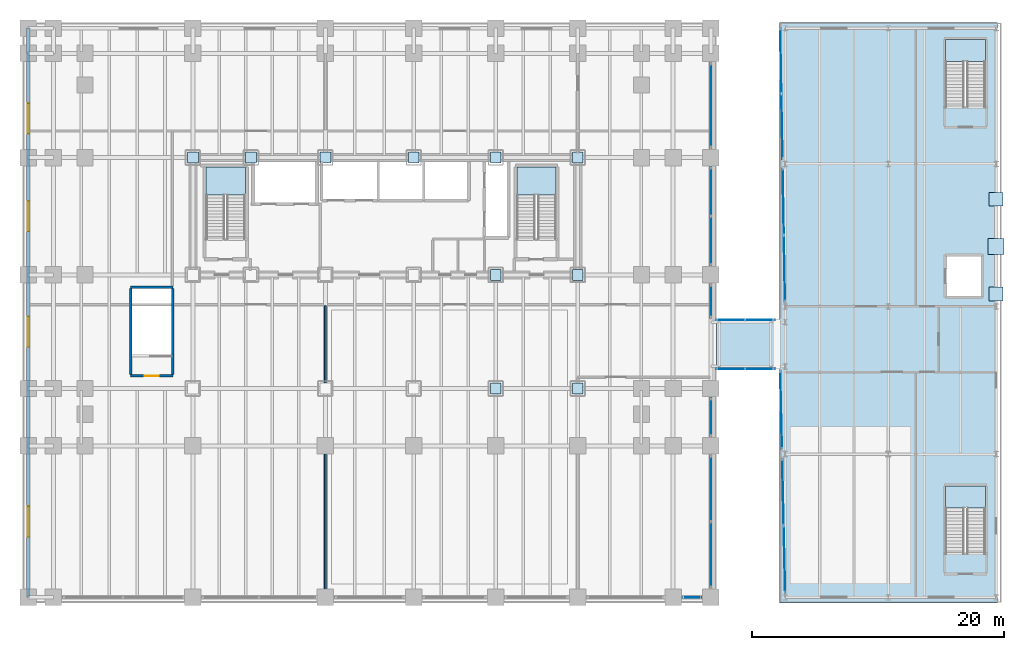
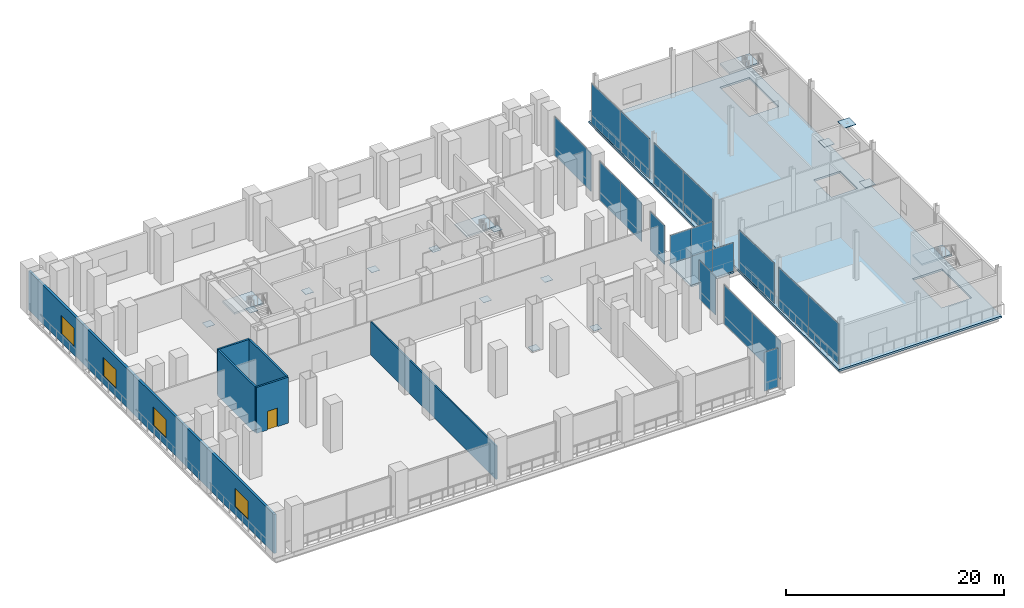
# One storey, part 21 of 30: 32 plates, 6 slabs, 6 walls, 4 windows, 1 door, 8 openings, 16 elements without a shape of their own.
"""IFC4 building model written with IfcOpenShell, lengths in metres."""

from ifc_helpers import new_model, si_unit, direction, frame, frame_2d, origin, origin_2d, place, context, subcontext, project, spatial, polyline, rectangle, outline, extrude, material, layer, layer_set, type_object, element, fill, aggregate, save


model = new_model("IFC4")

# Units and contexts
model_context = context("Model", 3, precision=1e-05, world=origin(), true_north=direction((0.0, 1.0)))
body_context = subcontext(model_context, "Body", "Model", "MODEL_VIEW")
ifc_project = project(units=[si_unit("LENGTHUNIT", "METRE"), si_unit("AREAUNIT", "SQUARE_METRE"), si_unit("VOLUMEUNIT", "CUBIC_METRE"), si_unit("PLANEANGLEUNIT", "RADIAN"), si_unit("MASSUNIT", "GRAM", prefix="KILO")], contexts=[model_context])

# Site, building, storey
site_placement = place(None, origin())
site = spatial("IfcSite", under=ifc_project, at=site_placement, CompositionType="ELEMENT")
building_placement = place(site_placement, origin())
building = spatial("IfcBuilding", under=site, at=building_placement, Name="Noeulbin Bourse Tower", CompositionType="ELEMENT")
storey_placement = place(building_placement, frame((0.0, 0.0, 16.60009765625)))
storey = spatial("IfcBuildingStorey", under=building, at=storey_placement, Name="L04", CompositionType="ELEMENT", Elevation=16.60009765625)

# Curtain wall, plate
ifc_material_1 = material(Name="Laminated Clear Low-E Glass", Category="glass")
curtain_wall_type_1 = type_object("IfcCurtainWallType", Name="CW-SYS-1", PredefinedType="NOTDEFINED", material=ifc_material_1)
curtain_wall_1_placement = place(storey_placement, origin())
curtain_wall_1 = element("IfcCurtainWall", 1, at=curtain_wall_1_placement, inside=storey, type_object=curtain_wall_type_1, Name="Unitised Curtain Wall CW-L04-POD-S-S7", PredefinedType="NOTDEFINED")
ifc_layer_1 = layer(ifc_material_1, 0.035888671875)
ifc_layer_set_1 = layer_set([ifc_layer_1], Name="Laminated Clear Low-E Glass")
plate_type_1 = type_object("IfcPlateType", Name="CW-SYS-1-PNL", PredefinedType="CURTAIN_PANEL", material=ifc_layer_set_1)
plate_1_placement = place(storey_placement, frame((53.050048828125, 3.449951171875, 0.0), z_axis=(0.0, 0.0, 1.0), x_axis=(1.0, 0.0, 0.0)))
plate_1 = element("IfcPlate", 2, at=plate_1_placement, type_object=plate_type_1, Name="Glazed Curtain Panel CW-L04-POD-S-S7-P00", PredefinedType="CURTAIN_PANEL", context=body_context, shape_type="SweptSolid", body=[
    extrude(rectangle(XDim=1.429931640625, YDim=0.035888671875, at=origin_2d()), origin(), (0.0, 0.0, 1.0), 4.3798828125),
])
aggregate(curtain_wall_1, [plate_1])

# Curtain wall, plates
curtain_wall_2_placement = place(storey_placement, origin())
curtain_wall_2 = element("IfcCurtainWall", 3, at=curtain_wall_2_placement, inside=storey, type_object=curtain_wall_type_1, Name="Unitised Curtain Wall CW-L04-POD-E1-S1", PredefinedType="NOTDEFINED")
plate_2_placement = place(storey_placement, frame((54.550048828125, 6.842529296875, 0.0), z_axis=(0.0, 0.0, 1.0), x_axis=(0.0, 1.0, 0.0)))
plate_2 = element("IfcPlate", 4, at=plate_2_placement, type_object=plate_type_1, Name="Glazed Curtain Panel CW-L04-POD-E1-S1-P00", PredefinedType="CURTAIN_PANEL", context=body_context, shape_type="SweptSolid", body=[
    extrude(rectangle(XDim=5.215087890625, YDim=0.035888671875, at=origin_2d()), origin(), (0.0, 0.0, 1.0), 4.3798828125),
])
plate_3_placement = place(storey_placement, frame((54.550048828125, 12.0576171875, 0.0), z_axis=(0.0, 0.0, 1.0), x_axis=(0.0, 1.0, 0.0)))
plate_3 = element("IfcPlate", 5, at=plate_3_placement, type_object=plate_type_1, Name="Glazed Curtain Panel CW-L04-POD-E1-S1-P01", PredefinedType="CURTAIN_PANEL", context=body_context, shape_type="SweptSolid", body=[
    extrude(rectangle(XDim=5.215087890625, YDim=0.035888671875, at=origin_2d()), origin(), (0.0, 0.0, 1.0), 4.3798828125),
])
aggregate(curtain_wall_2, [plate_2, plate_3])

# Curtain wall, plate
curtain_wall_3_placement = place(storey_placement, origin())
curtain_wall_3 = element("IfcCurtainWall", 6, at=curtain_wall_3_placement, inside=storey, type_object=curtain_wall_type_1, Name="Unitised Curtain Wall CW-L04-POD-E1-S2", PredefinedType="NOTDEFINED")
plate_4_placement = place(storey_placement, frame((54.550048828125, 17.72509765625, 0.0), z_axis=(0.0, 0.0, 1.0), x_axis=(0.0, 1.0, 0.0)))
plate_4 = element("IfcPlate", 7, at=plate_4_placement, type_object=plate_type_1, Name="Glazed Curtain Panel CW-L04-POD-E1-S2-P00", PredefinedType="CURTAIN_PANEL", context=body_context, shape_type="SweptSolid", body=[
    extrude(rectangle(XDim=2.97998046875, YDim=0.035888671875, at=origin_2d()), origin(), (0.0, 0.0, 1.0), 4.3798828125),
])
aggregate(curtain_wall_3, [plate_4])

curtain_wall_4_placement = place(storey_placement, origin())
curtain_wall_4 = element("IfcCurtainWall", 8, at=curtain_wall_4_placement, inside=storey, type_object=curtain_wall_type_1, Name="Unitised Curtain Wall CW-L04-POD-E2-S1", PredefinedType="NOTDEFINED")
plate_5_placement = place(storey_placement, frame((54.550048828125, 26.907470703125, 0.0), z_axis=(0.0, 0.0, 1.0), x_axis=(0.0, 1.0, 0.0)))
plate_5 = element("IfcPlate", 9, at=plate_5_placement, type_object=plate_type_1, Name="Glazed Curtain Panel CW-L04-POD-E2-S1-P00", PredefinedType="CURTAIN_PANEL", context=body_context, shape_type="SweptSolid", body=[
    extrude(rectangle(XDim=2.614990234375, YDim=0.035888671875, at=origin_2d()), origin(), (0.0, 0.0, 1.0), 4.3798828125),
])
aggregate(curtain_wall_4, [plate_5])

# Curtain wall, plates
curtain_wall_5_placement = place(storey_placement, origin())
curtain_wall_5 = element("IfcCurtainWall", 10, at=curtain_wall_5_placement, inside=storey, type_object=curtain_wall_type_1, Name="Unitised Curtain Wall CW-L04-POD-E2-S2", PredefinedType="NOTDEFINED")
plate_6_placement = place(storey_placement, frame((54.550048828125, 31.717529296875, 0.0), z_axis=(0.0, 0.0, 1.0), x_axis=(0.0, 1.0, 0.0)))
plate_6 = element("IfcPlate", 11, at=plate_6_placement, type_object=plate_type_1, Name="Glazed Curtain Panel CW-L04-POD-E2-S2-P00", PredefinedType="CURTAIN_PANEL", context=body_context, shape_type="SweptSolid", body=[
    extrude(rectangle(XDim=3.864990234375, YDim=0.035888671875, at=origin_2d()), origin(), (0.0, 0.0, 1.0), 4.3798828125),
])
plate_7_placement = place(storey_placement, frame((54.550048828125, 35.58251953125, 0.0), z_axis=(0.0, 0.0, 1.0), x_axis=(0.0, 1.0, 0.0)))
plate_7 = element("IfcPlate", 12, at=plate_7_placement, type_object=plate_type_1, Name="Glazed Curtain Panel CW-L04-POD-E2-S2-P01", PredefinedType="CURTAIN_PANEL", context=body_context, shape_type="SweptSolid", body=[
    extrude(rectangle(XDim=3.864990234375, YDim=0.035888671875, at=origin_2d()), origin(), (0.0, 0.0, 1.0), 4.3798828125),
])
aggregate(curtain_wall_5, [plate_6, plate_7])

# Curtain wall, plate
curtain_wall_6_placement = place(storey_placement, origin())
curtain_wall_6 = element("IfcCurtainWall", 13, at=curtain_wall_6_placement, inside=storey, type_object=curtain_wall_type_1, Name="Unitised Curtain Wall CW-L04-POD-E2-S3", PredefinedType="NOTDEFINED")
plate_8_placement = place(storey_placement, frame((54.550048828125, 42.425048828125, 0.0), z_axis=(0.0, 0.0, 1.0), x_axis=(0.0, 1.0, 0.0)))
plate_8 = element("IfcPlate", 14, at=plate_8_placement, type_object=plate_type_1, Name="Glazed Curtain Panel CW-L04-POD-E2-S3-P00", PredefinedType="CURTAIN_PANEL", context=body_context, shape_type="SweptSolid", body=[
    extrude(rectangle(XDim=6.679931640625, YDim=0.035888671875, at=origin_2d()), origin(), (0.0, 0.0, 1.0), 4.3798828125),
])
aggregate(curtain_wall_6, [plate_8])

# Curtain wall, plates
curtain_wall_7_placement = place(storey_placement, origin())
curtain_wall_7 = element("IfcCurtainWall", 15, at=curtain_wall_7_placement, inside=storey, type_object=curtain_wall_type_1, Name="Unitised Curtain Wall CW-L04-MKT-W1-S1", PredefinedType="NOTDEFINED")
plate_9_placement = place(storey_placement, frame((60.382568359375, 6.474609375, 0.0), z_axis=(0.0, 0.0, 1.0), x_axis=(-0.022286009351, 0.999751636051, 0.0)))
plate_9 = element("IfcPlate", 16, at=plate_9_placement, type_object=plate_type_1, Name="Glazed Curtain Panel CW-L04-MKT-W1-S1-P00", PredefinedType="CURTAIN_PANEL", context=body_context, shape_type="SweptSolid", body=[
    extrude(rectangle(XDim=5.30224609375, YDim=0.035888671875, at=origin_2d()), origin(), (0.0, 0.0, 1.0), 4.510009765625),
])
plate_10_placement = place(storey_placement, frame((60.264404296875, 11.775390625, 0.0), z_axis=(0.0, 0.0, 1.0), x_axis=(-0.022286009351, 0.999751636051, 0.0)))
plate_10 = element("IfcPlate", 17, at=plate_10_placement, type_object=plate_type_1, Name="Glazed Curtain Panel CW-L04-MKT-W1-S1-P01", PredefinedType="CURTAIN_PANEL", context=body_context, shape_type="SweptSolid", body=[
    extrude(rectangle(XDim=5.30224609375, YDim=0.035888671875, at=origin_2d()), origin(), (0.0, 0.0, 1.0), 4.510009765625),
])
aggregate(curtain_wall_7, [plate_9, plate_10])

# Curtain wall, plate
curtain_wall_8_placement = place(storey_placement, origin())
curtain_wall_8 = element("IfcCurtainWall", 18, at=curtain_wall_8_placement, inside=storey, type_object=curtain_wall_type_1, Name="Unitised Curtain Wall CW-L04-MKT-W1-S2", PredefinedType="NOTDEFINED")
plate_11_placement = place(storey_placement, frame((60.119384765625, 18.287109375, 0.0), z_axis=(0.0, 0.0, 1.0), x_axis=(-0.02226856039, 0.999752024863, 0.0)))
plate_11 = element("IfcPlate", 19, at=plate_11_placement, type_object=plate_type_1, Name="Glazed Curtain Panel CW-L04-MKT-W1-S2-P00", PredefinedType="CURTAIN_PANEL", context=body_context, shape_type="SweptSolid", body=[
    extrude(rectangle(XDim=6.2275390625, YDim=0.035888671875, at=origin_2d()), origin(), (0.0, 0.0, 1.0), 4.510009765625),
])
aggregate(curtain_wall_8, [plate_11])

# Curtain wall, plates
curtain_wall_9_placement = place(storey_placement, origin())
curtain_wall_9 = element("IfcCurtainWall", 20, at=curtain_wall_9_placement, inside=storey, type_object=curtain_wall_type_1, Name="Unitised Curtain Wall CW-L04-MKT-W2-S1", PredefinedType="NOTDEFINED")
plate_12_placement = place(storey_placement, frame((60.3818359375, 29.511962890625, 0.0), z_axis=(0.0, 0.0, 1.0), x_axis=(-0.017417505158, 0.999848303751, 0.0)))
plate_12 = element("IfcPlate", 21, at=plate_12_placement, type_object=plate_type_1, Name="Glazed Curtain Panel CW-L04-MKT-W2-S1-P00", PredefinedType="CURTAIN_PANEL", context=body_context, shape_type="SweptSolid", body=[
    extrude(rectangle(XDim=5.27685546875, YDim=0.035888671875, at=origin_2d()), origin(), (0.0, 0.0, 1.0), 4.510009765625),
])
plate_13_placement = place(storey_placement, frame((60.289794921875, 34.7880859375, 0.0), z_axis=(0.0, 0.0, 1.0), x_axis=(-0.017417505158, 0.999848303751, 0.0)))
plate_13 = element("IfcPlate", 22, at=plate_13_placement, type_object=plate_type_1, Name="Glazed Curtain Panel CW-L04-MKT-W2-S1-P01", PredefinedType="CURTAIN_PANEL", context=body_context, shape_type="SweptSolid", body=[
    extrude(rectangle(XDim=5.27685546875, YDim=0.035888671875, at=origin_2d()), origin(), (0.0, 0.0, 1.0), 4.510009765625),
])
aggregate(curtain_wall_9, [plate_12, plate_13])

curtain_wall_10_placement = place(storey_placement, origin())
curtain_wall_10 = element("IfcCurtainWall", 23, at=curtain_wall_10_placement, inside=storey, type_object=curtain_wall_type_1, Name="Unitised Curtain Wall CW-L04-MKT-W2-S2", PredefinedType="NOTDEFINED")
plate_14_placement = place(storey_placement, frame((60.185546875, 40.76806640625, 0.0), z_axis=(0.0, 0.0, 1.0), x_axis=(-0.017417505158, 0.999848303751, 0.0)))
plate_14 = element("IfcPlate", 24, at=plate_14_placement, type_object=plate_type_1, Name="Glazed Curtain Panel CW-L04-MKT-W2-S2-P00", PredefinedType="CURTAIN_PANEL", context=body_context, shape_type="SweptSolid", body=[
    extrude(rectangle(XDim=5.188720703125, YDim=0.035888671875, at=origin_2d()), origin(), (0.0, 0.0, 1.0), 4.510009765625),
])
plate_15_placement = place(storey_placement, frame((60.09521484375, 45.9560546875, 0.0), z_axis=(0.0, 0.0, 1.0), x_axis=(-0.017417505158, 0.999848303751, 0.0)))
plate_15 = element("IfcPlate", 25, at=plate_15_placement, type_object=plate_type_1, Name="Glazed Curtain Panel CW-L04-MKT-W2-S2-P01", PredefinedType="CURTAIN_PANEL", context=body_context, shape_type="SweptSolid", body=[
    extrude(rectangle(XDim=5.188720703125, YDim=0.035888671875, at=origin_2d()), origin(), (0.0, 0.0, 1.0), 4.510009765625),
])
aggregate(curtain_wall_10, [plate_14, plate_15])

ifc_material_2 = material(Name="Acoustic Laminated Skylight Glazing", Category="glass")
curtain_wall_type_2 = type_object("IfcCurtainWallType", Name="CW-SYS-6", PredefinedType="NOTDEFINED", material=ifc_material_2)
curtain_wall_11_placement = place(storey_placement, origin())
curtain_wall_11 = element("IfcCurtainWall", 26, at=curtain_wall_11_placement, inside=storey, type_object=curtain_wall_type_2, Name="Unitised Curtain Wall CW-L04-BRG-S", PredefinedType="NOTDEFINED")
ifc_layer_2 = layer(ifc_material_2, 0.035888671875)
ifc_layer_set_2 = layer_set([ifc_layer_2], Name="Acoustic Laminated Skylight Glazing")
plate_type_2 = type_object("IfcPlateType", Name="CW-SYS-6-PNL", PredefinedType="CURTAIN_PANEL", material=ifc_layer_set_2)
plate_16_placement = place(storey_placement, frame((56.14501953125, 21.56005859375, 0.0), z_axis=(0.0, 0.0, 1.0), x_axis=(1.0, 0.0, 0.0)))
plate_16 = element("IfcPlate", 27, at=plate_16_placement, type_object=plate_type_2, Name="Glazed Curtain Panel CW-L04-BRG-S-P00", PredefinedType="CURTAIN_PANEL", context=body_context, shape_type="SweptSolid", body=[
    extrude(rectangle(XDim=2.25, YDim=0.035888671875, at=origin_2d()), origin(), (0.0, 0.0, 1.0), 3.199951171875),
])
plate_17_placement = place(storey_placement, frame((58.39501953125, 21.56005859375, 0.0), z_axis=(0.0, 0.0, 1.0), x_axis=(1.0, 0.0, 0.0)))
plate_17 = element("IfcPlate", 28, at=plate_17_placement, type_object=plate_type_2, Name="Glazed Curtain Panel CW-L04-BRG-S-P01", PredefinedType="CURTAIN_PANEL", context=body_context, shape_type="SweptSolid", body=[
    extrude(rectangle(XDim=2.25, YDim=0.035888671875, at=origin_2d()), origin(), (0.0, 0.0, 1.0), 3.199951171875),
])
aggregate(curtain_wall_11, [plate_16, plate_17])

curtain_wall_12_placement = place(storey_placement, origin())
curtain_wall_12 = element("IfcCurtainWall", 29, at=curtain_wall_12_placement, inside=storey, type_object=curtain_wall_type_2, Name="Unitised Curtain Wall CW-L04-BRG-N", PredefinedType="NOTDEFINED")
plate_18_placement = place(storey_placement, frame((56.14501953125, 25.43994140625, 0.0), z_axis=(0.0, 0.0, 1.0), x_axis=(1.0, 0.0, 0.0)))
plate_18 = element("IfcPlate", 30, at=plate_18_placement, type_object=plate_type_2, Name="Glazed Curtain Panel CW-L04-BRG-N-P00", PredefinedType="CURTAIN_PANEL", context=body_context, shape_type="SweptSolid", body=[
    extrude(rectangle(XDim=2.25, YDim=0.035888671875, at=origin_2d()), origin(), (0.0, 0.0, 1.0), 3.199951171875),
])
plate_19_placement = place(storey_placement, frame((58.39501953125, 25.43994140625, 0.0), z_axis=(0.0, 0.0, 1.0), x_axis=(1.0, 0.0, 0.0)))
plate_19 = element("IfcPlate", 31, at=plate_19_placement, type_object=plate_type_2, Name="Glazed Curtain Panel CW-L04-BRG-N-P01", PredefinedType="CURTAIN_PANEL", context=body_context, shape_type="SweptSolid", body=[
    extrude(rectangle(XDim=2.25, YDim=0.035888671875, at=origin_2d()), origin(), (0.0, 0.0, 1.0), 3.199951171875),
])
aggregate(curtain_wall_12, [plate_18, plate_19])

# Plates
ifc_material_3 = material(Name="Steel S355", Category="steel")
ifc_layer_3 = layer(ifc_material_3, 0.030029296875)
ifc_layer_set_3 = layer_set([ifc_layer_3], Name="Steel S355")
plate_type_3 = type_object("IfcPlateType", Name="PLT-BN1", PredefinedType="USERDEFINED", material=ifc_layer_set_3)
for number, where, z_axis, x_axis, name in (
    (32, (13.5, 38.300048828125, 0.0048828125), (0.0, 0.0, 1.0), (1.0, 0.0, 0.0), "Mega-Column Splice Plate BN1-L04-02"),
    (33, (18.10009765625, 38.300048828125, 0.0048828125), (0.0, 0.0, 1.0), (1.0, 0.0, 0.0), "Mega-Column Splice Plate BN1-L04-04"),
    (34, (24.0, 38.300048828125, 0.0048828125), (0.0, 0.0, 1.0), (1.0, 0.0, 0.0), "Mega-Column Splice Plate BN1-L04-06"),
    (35, (31.0, 38.300048828125, 0.0048828125), (0.0, 0.0, 1.0), (1.0, 0.0, 0.0), "Mega-Column Splice Plate BN1-L04-08"),
    (36, (37.5, 29.0, 0.0048828125), (0.0, 0.0, 1.0), (1.0, 0.0, 0.0), "Mega-Column Splice Plate BN1-L04-09"),
    (37, (37.5, 38.300048828125, 0.0048828125), (0.0, 0.0, 1.0), (1.0, 0.0, 0.0), "Mega-Column Splice Plate BN1-L04-10"),
    (38, (44.0, 29.0, 0.0048828125), (0.0, 0.0, 1.0), (1.0, 0.0, 0.0), "Mega-Column Splice Plate BN1-L04-11"),
    (39, (44.0, 38.300048828125, 0.0048828125), (0.0, 0.0, 1.0), (1.0, 0.0, 0.0), "Mega-Column Splice Plate BN1-L04-12"),
    (40, (37.5, 20.0, 0.0048828125), (0.0, 0.0, 1.0), (1.0, 0.0, 0.0), "Mega-Column Splice Plate BN1-L04-16"),
    (41, (44.0, 20.0, 0.0048828125), (0.0, 0.0, 1.0), (1.0, 0.0, 0.0), "Mega-Column Splice Plate BN1-L04-17"),
):
    element("IfcPlate", number, at=place(storey_placement, frame(where, z_axis=z_axis, x_axis=x_axis)), inside=storey, type_object=plate_type_3, Name=name, ObjectType="SPLICE PLATE", PredefinedType="USERDEFINED", context=body_context, shape_type="SweptSolid", body=[
        extrude(rectangle(XDim=0.85009765625, YDim=0.85009765625, at=origin_2d()), origin(), (0.0, 0.0, 1.0), 0.030029296875),
    ])
ifc_material_4 = material(Name="Steel S460", Category="steel")
ifc_layer_4 = layer(ifc_material_4, 0.0400390625)
ifc_layer_set_4 = layer_set([ifc_layer_4], Name="Steel S460")
plate_type_4 = type_object("IfcPlateType", Name="PLT-KN1", PredefinedType="USERDEFINED", material=ifc_layer_set_4)
plate_20_placement = place(storey_placement, frame((77.14990234375, 31.25, 4.519775390625), z_axis=(0.0, 0.0, 1.0), x_axis=(1.0, 0.0, 0.0)))
element("IfcPlate", 42, at=plate_20_placement, inside=storey, type_object=plate_type_4, Name="Market Brace Apex Gusset Plate KN1-ML04M", ObjectType="GUSSET PLATE", PredefinedType="USERDEFINED", context=body_context, shape_type="SweptSolid", body=[
    extrude(rectangle(XDim=1.25, YDim=1.25, at=origin_2d()), origin(), (0.0, 0.0, 1.0), 0.0400390625),
])
ifc_layer_5 = layer(ifc_material_4, 0.035888671875)
ifc_layer_set_5 = layer_set([ifc_layer_5], Name="Steel S460")
plate_type_5 = type_object("IfcPlateType", Name="PLT-KN2", PredefinedType="USERDEFINED", material=ifc_layer_set_5)
for number, where, z_axis, x_axis, name in (
    (43, (77.14990234375, 27.5, 0.0419921875), (0.0, 0.0, 1.0), (1.0, 0.0, 0.0), "Market Brace South Gusset Plate KN2-ML04A"),
    (44, (77.14990234375, 35.0, 0.0419921875), (0.0, 0.0, 1.0), (1.0, 0.0, 0.0), "Market Brace North Gusset Plate KN2-ML04B"),
):
    element("IfcPlate", number, at=place(storey_placement, frame(where, z_axis=z_axis, x_axis=x_axis)), inside=storey, type_object=plate_type_5, Name=name, ObjectType="GUSSET PLATE", PredefinedType="USERDEFINED", context=body_context, shape_type="SweptSolid", body=[
        extrude(rectangle(XDim=1.10009765625, YDim=1.10009765625, at=origin_2d()), origin(), (0.0, 0.0, 1.0), 0.035888671875),
    ])

# Slab
ifc_material_5 = material(Name="Concrete C40/50", Category="concrete")
ifc_layer_6 = layer(ifc_material_5, 0.199951171875)
ifc_layer_set_6 = layer_set([ifc_layer_6], Name="Concrete C40/50")
slab_type_1 = type_object("IfcSlabType", Name="SLB-BRG-200", PredefinedType="FLOOR", material=ifc_layer_set_6)
slab_1_placement = place(storey_placement, frame((0.0, 0.0, -0.2001953125)))
element("IfcSlab", 45, at=slab_1_placement, inside=storey, type_object=slab_type_1, Name="Concourse Link Bridge Slab L04", PredefinedType="FLOOR", context=body_context, shape_type="SweptSolid", body=[
    extrude(outline(polyline([(55.0, 21.5), (59.550048828125, 21.5), (59.550048828125, 25.5), (55.0, 25.5), (55.0, 21.5)])), origin(), (0.0, 0.0, 1.0), 0.2001953125),
])

# Stair, slab
stair_type_1 = type_object("IfcStairType", Name="STR-CORE-1560", PredefinedType="HALF_TURN_STAIR", material=ifc_material_5)
stair_1_placement = place(storey_placement, origin())
stair_1 = element("IfcStair", 46, at=stair_1_placement, inside=storey, type_object=stair_type_1, Name="L04 ST-1", PredefinedType="HALF_TURN_STAIR")
ifc_layer_7 = layer(ifc_material_5, 0.199951171875)
ifc_layer_set_7 = layer_set([ifc_layer_7], Name="Concrete C40/50")
slab_type_2 = type_object("IfcSlabType", Name="SLB-LND-200", PredefinedType="LANDING", material=ifc_layer_set_7)
slab_2_placement = place(storey_placement, frame((0.0, 0.0, 2.5)))
slab_2 = element("IfcSlab", 47, at=slab_2_placement, type_object=slab_type_2, Name="ST-1 landing 1", PredefinedType="LANDING", context=body_context, shape_type="SweptSolid", body=[
    extrude(outline(polyline([(17.64990234375, 35.337890625), (17.64990234375, 37.5439453125), (14.550048828125, 37.5439453125), (14.550048828125, 35.337890625), (17.64990234375, 35.337890625)])), origin(), (0.0, 0.0, 1.0), 0.199951171875),
])
aggregate(stair_1, [slab_2])

stair_2_placement = place(storey_placement, origin())
stair_2 = element("IfcStair", 48, at=stair_2_placement, inside=storey, type_object=stair_type_1, Name="L04 ST-2", PredefinedType="HALF_TURN_STAIR")
slab_3_placement = place(storey_placement, frame((0.0, 0.0, 2.5)))
slab_3 = element("IfcSlab", 49, at=slab_3_placement, type_object=slab_type_2, Name="ST-2 landing 1", PredefinedType="LANDING", context=body_context, shape_type="SweptSolid", body=[
    extrude(outline(polyline([(42.280029296875, 35.337890625), (42.280029296875, 37.5439453125), (39.179931640625, 37.5439453125), (39.179931640625, 35.337890625), (42.280029296875, 35.337890625)])), origin(), (0.0, 0.0, 1.0), 0.199951171875),
])
aggregate(stair_2, [slab_3])

stair_type_2 = type_object("IfcStairType", Name="STR-MKT-1480", PredefinedType="HALF_TURN_STAIR", material=ifc_material_5)
stair_3_placement = place(storey_placement, origin())
stair_3 = element("IfcStair", 50, at=stair_3_placement, inside=storey, type_object=stair_type_2, Name="L04 MST-1", PredefinedType="HALF_TURN_STAIR")
slab_4_placement = place(storey_placement, frame((0.0, 0.0, 2.5)))
slab_4 = element("IfcSlab", 51, at=slab_4_placement, type_object=slab_type_2, Name="MST-1 landing 1", PredefinedType="LANDING", context=body_context, shape_type="SweptSolid", body=[
    extrude(outline(polyline([(76.300048828125, 10.52001953125), (76.300048828125, 12.260009765625), (73.139892578125, 12.260009765625), (73.139892578125, 10.52001953125), (76.300048828125, 10.52001953125)])), origin(), (0.0, 0.0, 1.0), 0.199951171875),
])
aggregate(stair_3, [slab_4])

stair_4_placement = place(storey_placement, origin())
stair_4 = element("IfcStair", 52, at=stair_4_placement, inside=storey, type_object=stair_type_2, Name="L04 MST-2", PredefinedType="HALF_TURN_STAIR")
slab_5_placement = place(storey_placement, frame((0.0, 0.0, 2.5)))
slab_5 = element("IfcSlab", 53, at=slab_5_placement, type_object=slab_type_2, Name="MST-2 landing 1", PredefinedType="LANDING", context=body_context, shape_type="SweptSolid", body=[
    extrude(outline(polyline([(76.300048828125, 45.919921875), (76.300048828125, 47.659912109375), (73.139892578125, 47.659912109375), (73.139892578125, 45.919921875), (76.300048828125, 45.919921875)])), origin(), (0.0, 0.0, 1.0), 0.199951171875),
])
aggregate(stair_4, [slab_5])

# Slab, openings
ifc_layer_8 = layer(ifc_material_5, 0.219970703125)
ifc_layer_set_8 = layer_set([ifc_layer_8], Name="Concrete C40/50")
slab_type_3 = type_object("IfcSlabType", Name="SLB-MKT-220", PredefinedType="FLOOR", material=ifc_layer_set_8)
slab_6_placement = place(storey_placement, frame((0.0, 0.0, -0.22021484375)))
slab_6 = element("IfcSlab", 54, at=slab_6_placement, inside=storey, type_object=slab_type_3, Name="Market Hall Floor Slab L04", PredefinedType="FLOOR", context=body_context, shape_type="SweptSolid", body=[
    extrude(outline(polyline([(60.0, 3.0), (77.27001953125, 3.0), (77.27001953125, 49.0), (60.0, 49.0), (60.0, 3.0)]), holes=[polyline([(76.300048828125, 6.8798828125), (76.300048828125, 12.260009765625), (73.139892578125, 12.260009765625), (73.139892578125, 6.8798828125), (76.300048828125, 6.8798828125)]), polyline([(76.300048828125, 42.280029296875), (76.300048828125, 47.659912109375), (73.139892578125, 47.659912109375), (73.139892578125, 42.280029296875), (76.300048828125, 42.280029296875)]), polyline([(73.199951171875, 27.300048828125), (76.0, 27.300048828125), (76.0, 30.5), (73.199951171875, 30.5), (73.199951171875, 27.300048828125)])]), origin(), (0.0, 0.0, 1.0), 0.22021484375),
])
opening_1_placement = place(slab_6_placement, frame((0.0, 0.0, -0.010009765625)))
element("IfcOpeningElement", 55, at=opening_1_placement, cuts=slab_6, Name="Slab Shaft Opening SLB-L04-MKT-1", PredefinedType="OPENING", context=body_context, shape_type="SweptSolid", body=[
    extrude(outline(polyline([(76.300048828125, 6.8798828125), (76.300048828125, 12.260009765625), (73.139892578125, 12.260009765625), (73.139892578125, 6.8798828125), (76.300048828125, 6.8798828125)])), origin(), (0.0, 0.0, 1.0), 0.240234375),
])
opening_2_placement = place(slab_6_placement, frame((0.0, 0.0, -0.010009765625)))
element("IfcOpeningElement", 56, at=opening_2_placement, cuts=slab_6, Name="Slab Shaft Opening SLB-L04-MKT-2", PredefinedType="OPENING", context=body_context, shape_type="SweptSolid", body=[
    extrude(outline(polyline([(76.300048828125, 42.280029296875), (76.300048828125, 47.659912109375), (73.139892578125, 47.659912109375), (73.139892578125, 42.280029296875), (76.300048828125, 42.280029296875)])), origin(), (0.0, 0.0, 1.0), 0.240234375),
])
opening_3_placement = place(slab_6_placement, frame((0.0, 0.0, -0.010009765625)))
element("IfcOpeningElement", 57, at=opening_3_placement, cuts=slab_6, Name="Slab Shaft Opening SLB-L04-MKT-3", PredefinedType="OPENING", context=body_context, shape_type="SweptSolid", body=[
    extrude(outline(polyline([(73.199951171875, 27.300048828125), (76.0, 27.300048828125), (76.0, 30.5), (73.199951171875, 30.5), (73.199951171875, 27.300048828125)])), origin(), (0.0, 0.0, 1.0), 0.240234375),
])

# Wall, openings, windows
ifc_material_6 = material(Name="Precast Concrete C40/50", Category="concrete")
ifc_layer_9 = layer(ifc_material_6, 0.25)
ifc_layer_set_9 = layer_set([ifc_layer_9], Name="Precast Concrete C40/50")
wall_type_1 = type_object("IfcWallType", Name="WAL-EXT-250", PredefinedType="STANDARD", material=ifc_layer_set_9)
wall_1_placement = place(storey_placement, frame((0.449951171875, 3.449951171875, 0.0), z_axis=(0.0, 0.0, 1.0), x_axis=(0.0, 1.0, 0.0)))
wall_1 = element("IfcWall", 58, at=wall_1_placement, inside=storey, type_object=wall_type_1, Name="Podium West Precast Wall L04", PredefinedType="STANDARD", context=body_context, shape_type="SweptSolid", body=[
    extrude(rectangle(XDim=45.10009765625, YDim=0.25, at=frame_2d((22.550048828125, 0.0))), origin(), (0.0, 0.0, 1.0), 4.3798828125),
])
opening_4_placement = place(wall_1_placement, frame((4.800048828125, 0.0, 0.89990234375)))
opening_4 = element("IfcOpeningElement", 59, at=opening_4_placement, cuts=wall_1, Name="Opening W-05", PredefinedType="OPENING", context=body_context, shape_type="SweptSolid", body=[
    extrude(rectangle(XDim=2.39990234375, YDim=2.10009765625, at=frame_2d((1.199951171875, 1.050048828125))), frame((0.0, 0.135009765625, 0.0), z_axis=(0.0, -1.0, 0.0), x_axis=(1.0, 0.0, 0.0)), (0.0, 0.0, 1.0), 0.27001953125),
])
opening_5_placement = place(wall_1_placement, frame((19.85009765625, 0.0, 0.89990234375)))
opening_5 = element("IfcOpeningElement", 60, at=opening_5_placement, cuts=wall_1, Name="Opening W-01", PredefinedType="OPENING", context=body_context, shape_type="SweptSolid", body=[
    extrude(rectangle(XDim=2.39990234375, YDim=2.10009765625, at=frame_2d((1.199951171875, 1.050048828125))), frame((0.0, 0.135009765625, 0.0), z_axis=(0.0, -1.0, 0.0), x_axis=(1.0, 0.0, 0.0)), (0.0, 0.0, 1.0), 0.27001953125),
])
opening_6_placement = place(wall_1_placement, frame((29.0, 0.0, 0.89990234375)))
opening_6 = element("IfcOpeningElement", 61, at=opening_6_placement, cuts=wall_1, Name="Opening W-01", PredefinedType="OPENING", context=body_context, shape_type="SweptSolid", body=[
    extrude(rectangle(XDim=2.39990234375, YDim=2.10009765625, at=frame_2d((1.199951171875, 1.050048828125))), frame((0.0, 0.135009765625, 0.0), z_axis=(0.0, -1.0, 0.0), x_axis=(1.0, 0.0, 0.0)), (0.0, 0.0, 1.0), 0.27001953125),
])
opening_7_placement = place(wall_1_placement, frame((36.75, 0.0, 0.89990234375)))
opening_7 = element("IfcOpeningElement", 62, at=opening_7_placement, cuts=wall_1, Name="Opening W-01", PredefinedType="OPENING", context=body_context, shape_type="SweptSolid", body=[
    extrude(rectangle(XDim=2.39990234375, YDim=2.10009765625, at=frame_2d((1.199951171875, 1.050048828125))), frame((0.0, 0.135009765625, 0.0), z_axis=(0.0, -1.0, 0.0), x_axis=(1.0, 0.0, 0.0)), (0.0, 0.0, 1.0), 0.27001953125),
])
ifc_material_7 = material(Name="Thermally Broken Aluminium Triple Glazing", Category="aluminium")
window_type_1 = type_object("IfcWindowType", Name="WIN-OBS-3000x2200", PartitioningType="DOUBLE_PANEL_VERTICAL", PredefinedType="WINDOW", material=ifc_material_7)
window_1_placement = place(opening_4_placement, origin())
window_1 = element("IfcWindow", 63, at=window_1_placement, inside=storey, type_object=window_type_1, Name="Podium West Window L04-01", OverallHeight=2.10009765625, OverallWidth=2.39990234375, PartitioningType="SINGLE_PANEL", PredefinedType="WINDOW", context=body_context, shape_type="SweptSolid", body=[
    extrude(rectangle(XDim=2.39990234375, YDim=2.10009765625, at=frame_2d((1.199951171875, 1.050048828125))), frame((0.0, 0.030029296875, 0.0), z_axis=(0.0, -1.0, 0.0), x_axis=(1.0, 0.0, 0.0)), (0.0, 0.0, 1.0), 0.06005859375),
])
fill(opening_4, window_1)
window_type_2 = type_object("IfcWindowType", Name="WIN-POD-2400x2100", PartitioningType="SINGLE_PANEL", PredefinedType="WINDOW", material=ifc_material_7)
window_2_placement = place(opening_5_placement, origin())
window_2 = element("IfcWindow", 64, at=window_2_placement, inside=storey, type_object=window_type_2, Name="Podium West Window L04-02", OverallHeight=2.10009765625, OverallWidth=2.39990234375, PartitioningType="SINGLE_PANEL", PredefinedType="WINDOW", context=body_context, shape_type="SweptSolid", body=[
    extrude(rectangle(XDim=2.39990234375, YDim=2.10009765625, at=frame_2d((1.199951171875, 1.050048828125))), frame((0.0, 0.030029296875, 0.0), z_axis=(0.0, -1.0, 0.0), x_axis=(1.0, 0.0, 0.0)), (0.0, 0.0, 1.0), 0.06005859375),
])
fill(opening_5, window_2)
window_3_placement = place(opening_6_placement, origin())
window_3 = element("IfcWindow", 65, at=window_3_placement, inside=storey, type_object=window_type_2, Name="Podium West Window L04-03", OverallHeight=2.10009765625, OverallWidth=2.39990234375, PartitioningType="SINGLE_PANEL", PredefinedType="WINDOW", context=body_context, shape_type="SweptSolid", body=[
    extrude(rectangle(XDim=2.39990234375, YDim=2.10009765625, at=frame_2d((1.199951171875, 1.050048828125))), frame((0.0, 0.030029296875, 0.0), z_axis=(0.0, -1.0, 0.0), x_axis=(1.0, 0.0, 0.0)), (0.0, 0.0, 1.0), 0.06005859375),
])
fill(opening_6, window_3)
window_4_placement = place(opening_7_placement, origin())
window_4 = element("IfcWindow", 66, at=window_4_placement, inside=storey, type_object=window_type_2, Name="Podium West Window L04-04", OverallHeight=2.10009765625, OverallWidth=2.39990234375, PartitioningType="SINGLE_PANEL", PredefinedType="WINDOW", context=body_context, shape_type="SweptSolid", body=[
    extrude(rectangle(XDim=2.39990234375, YDim=2.10009765625, at=frame_2d((1.199951171875, 1.050048828125))), frame((0.0, 0.030029296875, 0.0), z_axis=(0.0, -1.0, 0.0), x_axis=(1.0, 0.0, 0.0)), (0.0, 0.0, 1.0), 0.06005859375),
])
fill(opening_7, window_4)

# Wall, opening, door
ifc_layer_10 = layer(ifc_material_5, 0.199951171875)
ifc_layer_set_10 = layer_set([ifc_layer_10], Name="Concrete C40/50")
wall_type_2 = type_object("IfcWallType", Name="WAL-FIRE-200", PredefinedType="STANDARD", material=ifc_layer_set_10)
wall_2_placement = place(storey_placement, frame((8.56005859375, 21.0, 0.0), z_axis=(0.0, 0.0, 1.0), x_axis=(1.0, 0.0, 0.0)))
wall_2 = element("IfcWall", 67, at=wall_2_placement, inside=storey, type_object=wall_type_2, Name="Stair STP1 South Wall L04", PredefinedType="STANDARD", context=body_context, shape_type="SweptSolid", body=[
    extrude(rectangle(XDim=3.35986328125, YDim=0.199951171875, at=frame_2d((1.679931640625, 0.0))), origin(), (0.0, 0.0, 1.0), 5.159912109375),
])
opening_8_placement = place(wall_2_placement, frame((1.1298828125, 0.0, 0.0)))
opening_8 = element("IfcOpeningElement", 68, at=opening_8_placement, cuts=wall_2, Name="Opening FD-11", PredefinedType="OPENING", context=body_context, shape_type="SweptSolid", body=[
    extrude(rectangle(XDim=1.10009765625, YDim=2.080078125, at=frame_2d((0.550048828125, 1.0400390625))), frame((0.0, 0.10986328125, 0.0), z_axis=(0.0, -1.0, 0.0), x_axis=(1.0, 0.0, 0.0)), (0.0, 0.0, 1.0), 0.219970703125),
])
ifc_material_8 = material(Name="Fire-Rated Insulated Steel", Category="steel")
door_type = type_object("IfcDoorType", Name="DR-FD60-1100", OperationType="SINGLE_SWING_LEFT", PredefinedType="DOOR", material=ifc_material_8)
door_placement = place(opening_8_placement, origin())
door = element("IfcDoor", 69, at=door_placement, inside=storey, type_object=door_type, Name="Escape Stair Door STP1-L04", OperationType="SINGLE_SWING_RIGHT", OverallHeight=2.080078125, OverallWidth=1.10009765625, PredefinedType="DOOR", context=body_context, shape_type="SweptSolid", body=[
    extrude(rectangle(XDim=1.10009765625, YDim=2.080078125, at=frame_2d((0.550048828125, 1.0400390625))), frame((0.0, 0.02490234375, 0.0), z_axis=(0.0, -1.0, 0.0), x_axis=(1.0, 0.0, 0.0)), (0.0, 0.0, 1.0), 0.050048828125),
])
fill(opening_8, door)

# Walls
wall_3_placement = place(storey_placement, frame((8.56005859375, 28.0400390625, 0.0), z_axis=(0.0, 0.0, 1.0), x_axis=(1.0, 0.0, 0.0)))
element("IfcWall", 70, at=wall_3_placement, inside=storey, type_object=wall_type_2, Name="Stair STP1 North Wall L04", PredefinedType="STANDARD", context=body_context, shape_type="SweptSolid", body=[
    extrude(rectangle(XDim=3.35986328125, YDim=0.199951171875, at=frame_2d((1.679931640625, 0.0))), origin(), (0.0, 0.0, 1.0), 5.159912109375),
])
for number, where, z_axis, x_axis, name in (
    (71, (8.580078125, 21.10009765625, 0.0), (0.0, 0.0, 1.0), (0.0, 1.0, 0.0), "Stair STP1 West Wall L04"),
    (72, (11.89990234375, 21.10009765625, 0.0), (0.0, 0.0, 1.0), (0.0, 1.0, 0.0), "Stair STP1 East Wall L04"),
):
    element("IfcWall", number, at=place(storey_placement, frame(where, z_axis=z_axis, x_axis=x_axis)), inside=storey, type_object=wall_type_2, Name=name, PredefinedType="STANDARD", context=body_context, shape_type="SweptSolid", body=[
        extrude(rectangle(XDim=6.83984375, YDim=0.199951171875, at=frame_2d((3.419921875, 0.0))), origin(), (0.0, 0.0, 1.0), 5.159912109375),
    ])
ifc_material_9 = material(Name="Steel Stud Acoustic Gypsum Board", Category="steel")
ifc_layer_11 = layer(ifc_material_9, 0.14990234375)
ifc_layer_set_11 = layer_set([ifc_layer_11], Name="Steel Stud Acoustic Gypsum Board")
wall_type_3 = type_object("IfcWallType", Name="WAL-PRT-150", PredefinedType="PARTITIONING", material=ifc_layer_set_11)
wall_4_placement = place(storey_placement, frame((24.0, 3.530029296875, 0.0), z_axis=(0.0, 0.0, 1.0), x_axis=(0.0, 1.0, 0.0)))
element("IfcWall", 73, at=wall_4_placement, inside=storey, type_object=wall_type_3, Name="Interior Partition Wall L04-08", PredefinedType="PARTITIONING", context=body_context, shape_type="SweptSolid", body=[
    extrude(rectangle(XDim=23.034912109375, YDim=0.14990234375, at=frame_2d((11.517578125, 0.0))), origin(), (0.0, 0.0, 1.0), 3.739990234375),
])

save(model, "model.ifc")
